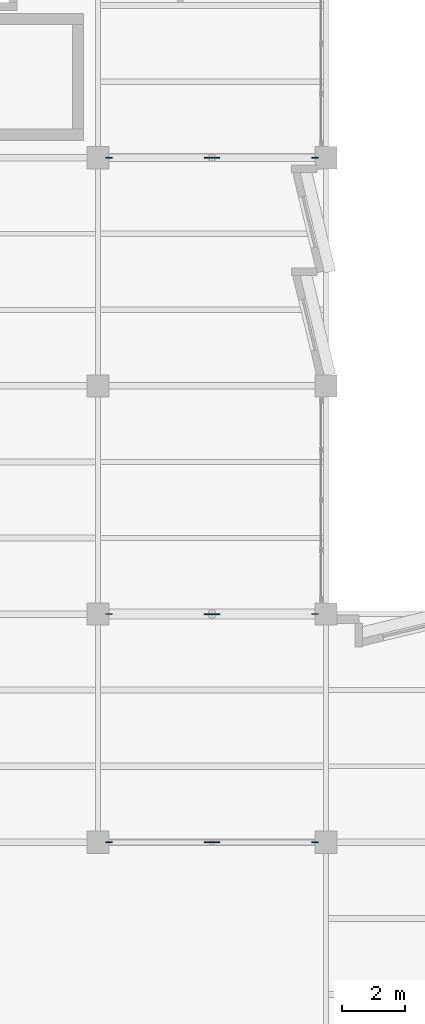
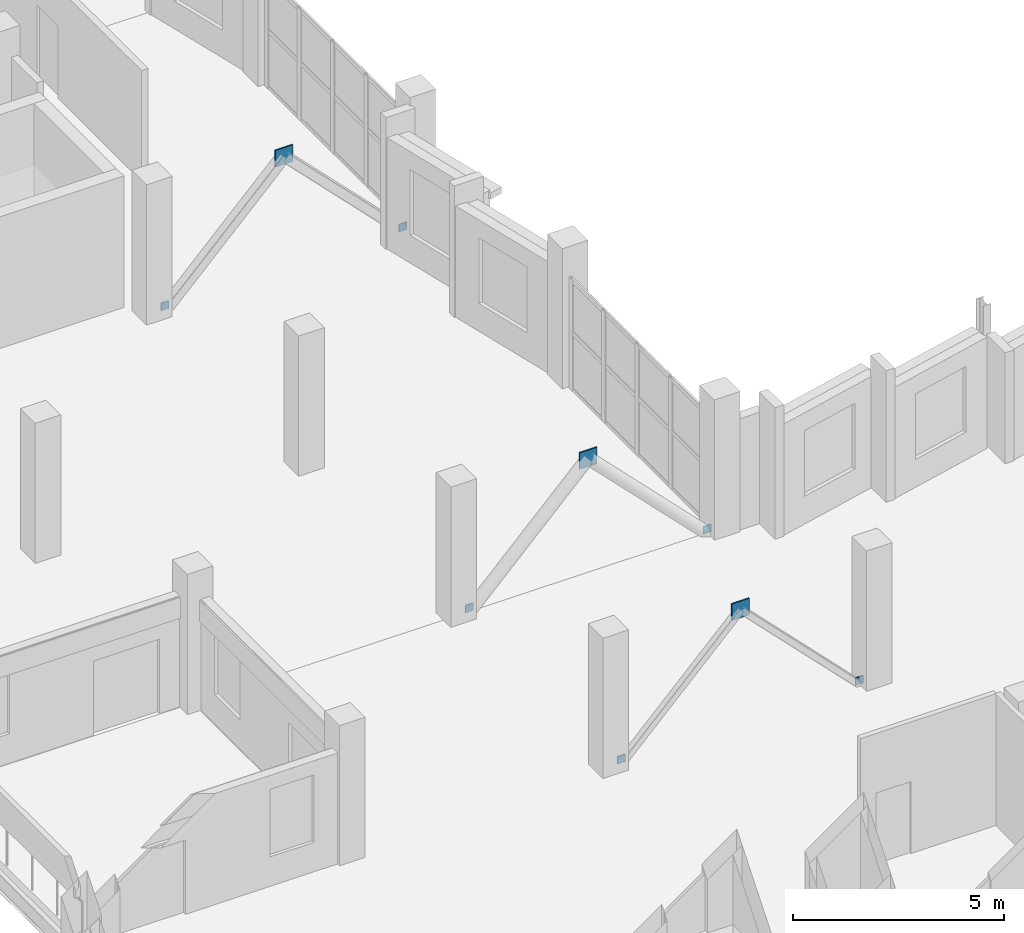
# One storey, part 21 of 33: 9 plates.
"""IFC4 building model written with IfcOpenShell, lengths in metres."""

from ifc_helpers import new_model, si_unit, direction, frame, origin, origin_2d, place, context, subcontext, project, spatial, rectangle, extrude, material, layer, layer_set, type_object, element, save


model = new_model("IFC4")

# Units and contexts
model_context = context("Model", 3, precision=1e-05, world=origin(), true_north=direction((0.0, 1.0)))
body_context = subcontext(model_context, "Body", "Model", "MODEL_VIEW")
ifc_project = project(units=[si_unit("LENGTHUNIT", "METRE"), si_unit("AREAUNIT", "SQUARE_METRE"), si_unit("VOLUMEUNIT", "CUBIC_METRE"), si_unit("PLANEANGLEUNIT", "RADIAN"), si_unit("MASSUNIT", "GRAM", prefix="KILO")], contexts=[model_context])

# Site, building, storey
site_placement = place(None, origin())
site = spatial("IfcSite", under=ifc_project, at=site_placement, CompositionType="ELEMENT")
building_placement = place(site_placement, origin())
building = spatial("IfcBuilding", under=site, at=building_placement, Name="Kalmorath City Hall", CompositionType="ELEMENT")
storey_placement = place(building_placement, frame((0.0, 0.0, 22.949951171875)))
storey = spatial("IfcBuildingStorey", under=building, at=storey_placement, Name="L05", CompositionType="ELEMENT", Elevation=22.949951171875)

# Plates
ifc_material_1 = material(Name="Steel ASTM A572 Grade 50", Category="steel")
ifc_layer_1 = layer(ifc_material_1, 0.02001953125)
ifc_layer_set_1 = layer_set([ifc_layer_1], Name="Steel ASTM A572 Grade 50")
plate_type_1 = type_object("IfcPlateType", Name="Steel HSS end-cap plate 220x220x20", PredefinedType="SHEET", material=ifc_layer_set_1)
for number, where, z_axis, x_axis, name in (
    (1, (14.75, 28.800048828125, 0.0), (0.0, 0.0, 1.0), (1.0, 0.0, 0.0), "L05 brace foot end-plate GP5-7L"),
    (2, (21.25, 28.800048828125, 0.0), (0.0, 0.0, 1.0), (1.0, 0.0, 0.0), "L05 brace foot end-plate GP5-7R"),
    (3, (14.75, 36.0, 0.0), (0.0, 0.0, 1.0), (1.0, 0.0, 0.0), "L05 brace foot end-plate GP5-15L"),
    (4, (21.25, 36.0, 0.0), (0.0, 0.0, 1.0), (1.0, 0.0, 0.0), "L05 brace foot end-plate GP5-15R"),
    (5, (14.75, 50.39990234375, 0.0), (0.0, 0.0, 1.0), (1.0, 0.0, 0.0), "L05 brace foot end-plate GP5-22L"),
    (6, (21.25, 50.39990234375, 0.0), (0.0, 0.0, 1.0), (1.0, 0.0, 0.0), "L05 brace foot end-plate GP5-22R"),
):
    element("IfcPlate", number, at=place(storey_placement, frame(where, z_axis=z_axis, x_axis=x_axis)), inside=storey, type_object=plate_type_1, Name=name, PredefinedType="SHEET", context=body_context, shape_type="SweptSolid", body=[
        extrude(rectangle(XDim=0.219970703125, YDim=0.02001953125, at=origin_2d()), origin(), (0.0, 0.0, 1.0), 0.219970703125),
    ])
ifc_material_2 = material(Name="Steel ASTM A572 Grade 50", Category="steel")
ifc_layer_2 = layer(ifc_material_2, 0.035888671875)
ifc_layer_set_2 = layer_set([ifc_layer_2], Name="Steel ASTM A572 Grade 50")
plate_type_2 = type_object("IfcPlateType", Name="Steel column splice plate 480x480x36", PredefinedType="USERDEFINED", material=ifc_layer_set_2)
for number, where, z_axis, x_axis, name in (
    (7, (18.0, 28.800048828125, 3.06005859375), (0.0, 0.0, 1.0), (1.0, 0.0, 0.0), "L05 brace gusset plate GP6-7"),
    (8, (18.0, 36.0, 3.06005859375), (0.0, 0.0, 1.0), (1.0, 0.0, 0.0), "L05 brace gusset plate GP6-15"),
    (9, (18.0, 50.39990234375, 3.06005859375), (0.0, 0.0, 1.0), (1.0, 0.0, 0.0), "L05 brace gusset plate GP6-22"),
):
    element("IfcPlate", number, at=place(storey_placement, frame(where, z_axis=z_axis, x_axis=x_axis)), inside=storey, type_object=plate_type_2, Name=name, ObjectType="GUSSET PLATE", PredefinedType="USERDEFINED", context=body_context, shape_type="SweptSolid", body=[
        extrude(rectangle(XDim=0.47998046875, YDim=0.035888671875, at=origin_2d()), origin(), (0.0, 0.0, 1.0), 0.47998046875),
    ])

save(model, "model.ifc")
